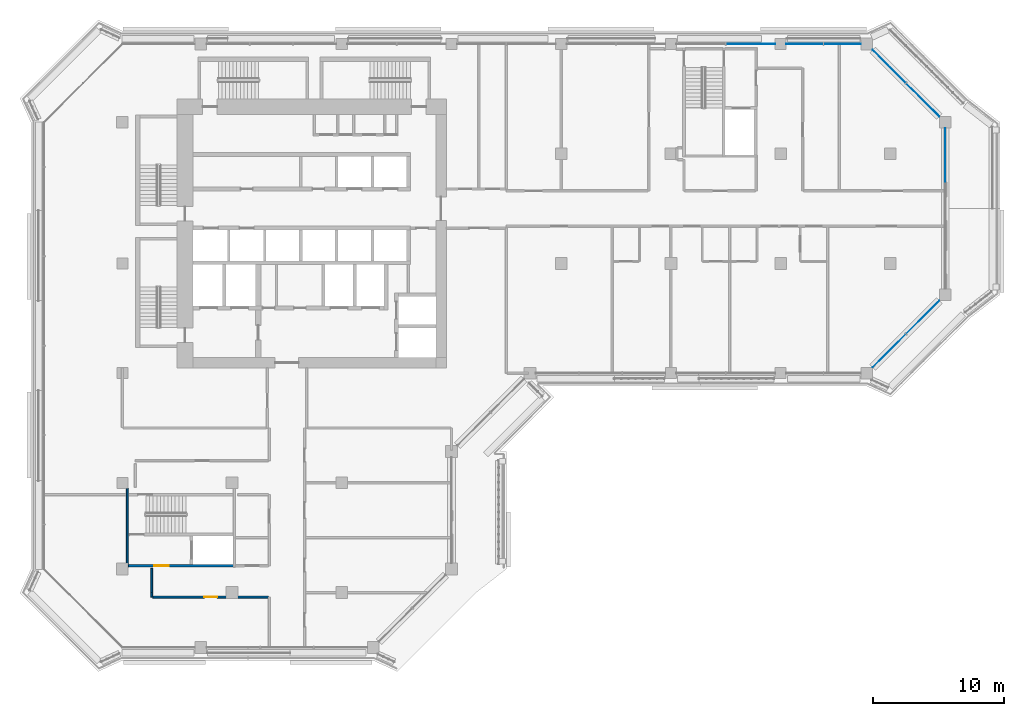
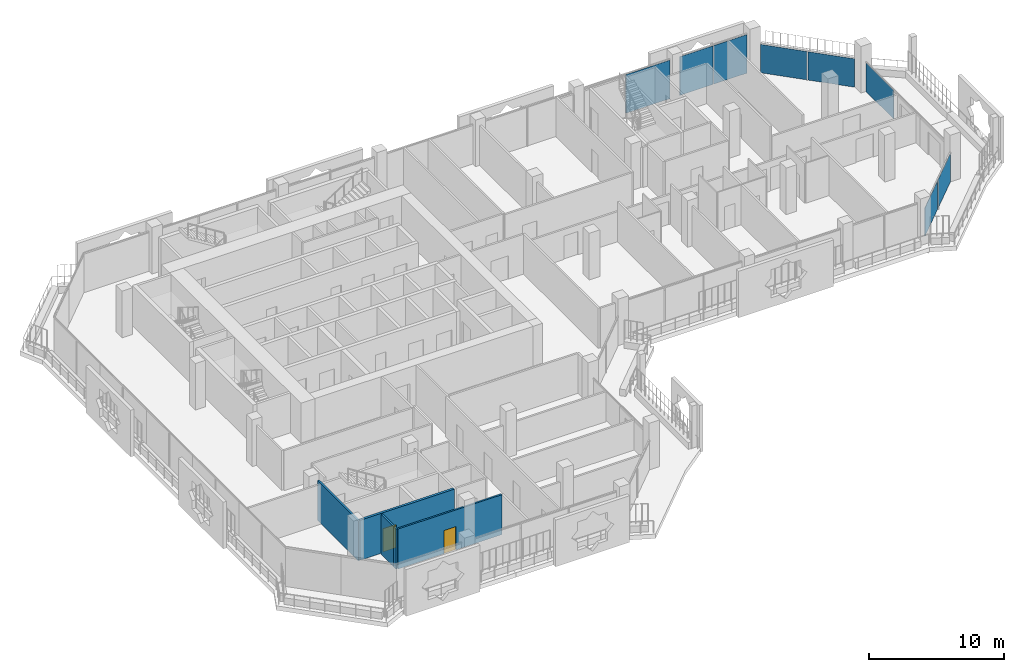
# One storey, part 9 of 22: 8 plates, 5 walls, 2 doors, 2 openings, 4 elements without a shape of their own.
"""IFC4 building model written with IfcOpenShell, lengths in metres."""

from ifc_helpers import new_model, si_unit, direction, frame, frame_2d, origin, origin_2d, place, context, subcontext, project, spatial, rectangle, extrude, material, layer, layer_set, type_object, element, fill, aggregate, save


model = new_model("IFC4")

# Units and contexts
model_context = context("Model", 3, precision=1e-05, world=origin(), true_north=direction((0.0, 1.0)))
body_context = subcontext(model_context, "Body", "Model", "MODEL_VIEW")
ifc_project = project(units=[si_unit("LENGTHUNIT", "METRE"), si_unit("AREAUNIT", "SQUARE_METRE"), si_unit("VOLUMEUNIT", "CUBIC_METRE"), si_unit("PLANEANGLEUNIT", "RADIAN"), si_unit("MASSUNIT", "GRAM", prefix="KILO")], contexts=[model_context])

# Site, building, storey
site_placement = place(None, origin())
site = spatial("IfcSite", under=ifc_project, at=site_placement, CompositionType="ELEMENT")
building_placement = place(site_placement, origin())
building = spatial("IfcBuilding", under=site, at=building_placement, Name="Kawkab Arch Medical Tower", CompositionType="ELEMENT")
storey_placement = place(building_placement, frame((0.0, 0.0, 255.800048828125)))
storey = spatial("IfcBuildingStorey", under=building, at=storey_placement, Name="L59", CompositionType="ELEMENT", Elevation=255.800048828125)

# Curtain wall, plate
ifc_material_1 = material(Name="Bronze anodised aluminium curtain wall frame", Category="aluminium")
ifc_layer_1 = layer(ifc_material_1, 0.159912109375)
ifc_layer_set_1 = layer_set([ifc_layer_1], Name="Bronze anodised aluminium curtain wall frame")
curtain_wall_type_1 = type_object("IfcCurtainWallType", Name="CW1 ward curtain wall", PredefinedType="NOTDEFINED", material=ifc_layer_set_1)
placement = place(storey_placement, origin())
curtain_wall_1 = element("IfcCurtainWall", 1, at=placement, inside=storey, type_object=curtain_wall_type_1, Name="CW1 Ward curtain wall R09", PredefinedType="NOTDEFINED")
ifc_material_2 = material(Name="Tinted insulating glass, bronze low-e coating", Category="glass")
ifc_layer_2 = layer(ifc_material_2, 0.031982421875)
ifc_layer_set_2 = layer_set([ifc_layer_2], Name="Tinted insulating glass, bronze low-e coating")
plate_type_1 = type_object("IfcPlateType", Name="CW1 glazing unit 32", PredefinedType="CURTAIN_PANEL", material=ifc_layer_set_2)
plate_1_placement = place(storey_placement, frame((63.0, -8.5, 0.0), z_axis=(0.0, 0.0, 1.0), x_axis=(0.0, 1.0, 0.0)))
plate_1 = element("IfcPlate", 2, at=plate_1_placement, type_object=plate_type_1, Name="CW1 glazing unit 1.3", PredefinedType="CURTAIN_PANEL", context=body_context, shape_type="SweptSolid", body=[
    extrude(rectangle(XDim=4.10009765625, YDim=0.031982421875, at=origin_2d()), origin(), (0.0, 0.0, 1.0), 2.580078125),
])
aggregate(curtain_wall_1, [plate_1])

# Curtain wall, plates
curtain_wall_2 = element("IfcCurtainWall", 3, at=placement, inside=storey, type_object=curtain_wall_type_1, Name="CW1 Ward curtain wall R11", PredefinedType="NOTDEFINED")
plate_2_placement = place(storey_placement, frame((55.1337890625, 0.0, 0.0), z_axis=(0.0, 0.0, 1.0), x_axis=(-1.0, 0.0, 0.0)))
plate_2 = element("IfcPlate", 4, at=plate_2_placement, type_object=plate_type_1, Name="CW1 glazing unit 1.1", PredefinedType="CURTAIN_PANEL", context=body_context, shape_type="SweptSolid", body=[
    extrude(rectangle(XDim=2.83251953125, YDim=0.031982421875, at=origin_2d()), origin(), (0.0, 0.0, 1.0), 3.47998046875),
])
plate_3_placement = place(storey_placement, frame((52.2412109375, 0.0, 0.0), z_axis=(0.0, 0.0, 1.0), x_axis=(-1.0, 0.0, 0.0)))
plate_3 = element("IfcPlate", 5, at=plate_3_placement, type_object=plate_type_1, Name="CW1 glazing unit 1.2", PredefinedType="CURTAIN_PANEL", context=body_context, shape_type="SweptSolid", body=[
    extrude(rectangle(XDim=2.83251953125, YDim=0.031982421875, at=origin_2d()), origin(), (0.0, 0.0, 1.0), 3.47998046875),
])
plate_4_placement = place(storey_placement, frame((48.1025390625, 0.0, 0.0), z_axis=(0.0, 0.0, 1.0), x_axis=(-1.0, 0.0, 0.0)))
plate_4 = element("IfcPlate", 6, at=plate_4_placement, type_object=plate_type_1, Name="CW1 glazing unit 2.1", PredefinedType="CURTAIN_PANEL", context=body_context, shape_type="SweptSolid", body=[
    extrude(rectangle(XDim=3.7451171875, YDim=0.031982421875, at=origin_2d()), origin(), (0.0, 0.0, 1.0), 3.47998046875),
])
aggregate(curtain_wall_2, [plate_2, plate_3, plate_4])

ifc_material_3 = material(Name="Bronze anodised aluminium curtain wall frame", Category="aluminium")
ifc_layer_3 = layer(ifc_material_3, 0.159912109375)
ifc_layer_set_3 = layer_set([ifc_layer_3], Name="Bronze anodised aluminium curtain wall frame")
curtain_wall_type_2 = type_object("IfcCurtainWallType", Name="CW2 chamfer curtain wall", PredefinedType="NOTDEFINED", material=ifc_layer_set_3)
curtain_wall_3 = element("IfcCurtainWall", 7, at=placement, inside=storey, type_object=curtain_wall_type_2, Name="CW2 Chamfer curtain wall R08", PredefinedType="NOTDEFINED")
ifc_material_4 = material(Name="Tinted insulating glass, bronze low-e coating", Category="glass")
ifc_layer_4 = layer(ifc_material_4, 0.031982421875)
ifc_layer_set_4 = layer_set([ifc_layer_4], Name="Tinted insulating glass, bronze low-e coating")
plate_type_2 = type_object("IfcPlateType", Name="CW2 glazing unit 32", PredefinedType="CURTAIN_PANEL", material=ifc_layer_set_4)
plate_5_placement = place(storey_placement, frame((58.71435546875, -23.485595703125, 0.0), z_axis=(0.0, 0.0, 1.0), x_axis=(0.707106781187, 0.707106781187, 0.0)))
plate_5 = element("IfcPlate", 8, at=plate_5_placement, type_object=plate_type_2, Name="CW2 glazing unit 1.1", PredefinedType="CURTAIN_PANEL", context=body_context, shape_type="SweptSolid", body=[
    extrude(rectangle(XDim=3.576171875, YDim=0.031982421875, at=origin_2d()), origin(), (0.0, 0.0, 1.0), 2.56005859375),
])
plate_6_placement = place(storey_placement, frame((61.28564453125, -20.914306640625, 0.0), z_axis=(0.0, 0.0, 1.0), x_axis=(0.707106781187, 0.707106781187, 0.0)))
plate_6 = element("IfcPlate", 9, at=plate_6_placement, type_object=plate_type_2, Name="CW2 glazing unit 1.2", PredefinedType="CURTAIN_PANEL", context=body_context, shape_type="SweptSolid", body=[
    extrude(rectangle(XDim=3.576171875, YDim=0.031982421875, at=origin_2d()), origin(), (0.0, 0.0, 1.0), 2.56005859375),
])
aggregate(curtain_wall_3, [plate_5, plate_6])

curtain_wall_4 = element("IfcCurtainWall", 10, at=placement, inside=storey, type_object=curtain_wall_type_2, Name="CW2 Chamfer curtain wall R10", PredefinedType="NOTDEFINED")
plate_7_placement = place(storey_placement, frame((61.28564453125, -4.28564453125, 0.0), z_axis=(0.0, 0.0, 1.0), x_axis=(-0.707106781187, 0.707106781187, 0.0)))
plate_7 = element("IfcPlate", 11, at=plate_7_placement, type_object=plate_type_2, Name="CW2 glazing unit 1.1", PredefinedType="CURTAIN_PANEL", context=body_context, shape_type="SweptSolid", body=[
    extrude(rectangle(XDim=3.576171875, YDim=0.031982421875, at=origin_2d()), origin(), (0.0, 0.0, 1.0), 2.56005859375),
])
plate_8_placement = place(storey_placement, frame((58.71435546875, -1.71435546875, 0.0), z_axis=(0.0, 0.0, 1.0), x_axis=(-0.707106781187, 0.707106781187, 0.0)))
plate_8 = element("IfcPlate", 12, at=plate_8_placement, type_object=plate_type_2, Name="CW2 glazing unit 1.2", PredefinedType="CURTAIN_PANEL", context=body_context, shape_type="SweptSolid", body=[
    extrude(rectangle(XDim=3.576171875, YDim=0.031982421875, at=origin_2d()), origin(), (0.0, 0.0, 1.0), 2.56005859375),
])
aggregate(curtain_wall_4, [plate_7, plate_8])

# Wall, opening, door
ifc_material_5 = material(Name="Gypsum board partition on steel studs, mineral wool", Category="steel")
ifc_layer_5 = layer(ifc_material_5, 0.14990234375)
ifc_layer_set_5 = layer_set([ifc_layer_5], Name="Gypsum board partition on steel studs, mineral wool")
wall_type_1 = type_object("IfcWallType", Name="Partition 150", PredefinedType="PARTITIONING", material=ifc_layer_set_5)
wall_1_placement = place(storey_placement, frame((2.326904296875, -42.35009765625, 0.0), z_axis=(0.0, 0.0, 1.0), x_axis=(1.0, 0.0, 0.0)))
wall_1 = element("IfcWall", 13, at=wall_1_placement, inside=storey, type_object=wall_type_1, Name="Partition 150 w008", PredefinedType="PARTITIONING", context=body_context, shape_type="SweptSolid", body=[
    extrude(rectangle(XDim=8.84814453125, YDim=0.14990234375, at=frame_2d((4.424072265625, 0.0))), origin(), (0.0, 0.0, 1.0), 3.599853515625),
])
opening_1_placement = place(wall_1_placement, frame((3.924072265625, 0.0, 0.0)))
opening_1 = element("IfcOpeningElement", 14, at=opening_1_placement, cuts=wall_1, Name="Opening W54-016", PredefinedType="OPENING", context=body_context, shape_type="SweptSolid", body=[
    extrude(rectangle(XDim=1.0, YDim=2.10009765625, at=frame_2d((0.5, 1.050048828125))), frame((0.0, 0.0849609375, 0.0), z_axis=(0.0, -1.0, 0.0), x_axis=(1.0, 0.0, 0.0)), (0.0, 0.0, 1.0), 0.169921875),
])
ifc_material_6 = material(Name="Hollow metal door leaf")
door_type_1 = type_object("IfcDoorType", Name="Single door 1000x2100 FD30S", OperationType="NOTDEFINED", PredefinedType="DOOR", material=ifc_material_6)
door_1_placement = place(opening_1_placement, origin())
door_1 = element("IfcDoor", 15, at=door_1_placement, inside=storey, type_object=door_type_1, Name="Door W54-016", OperationType="SINGLE_SWING_RIGHT", OverallHeight=2.10009765625, OverallWidth=1.0, PredefinedType="DOOR", context=body_context, shape_type="SweptSolid", body=[
    extrude(rectangle(XDim=1.0, YDim=2.10009765625, at=frame_2d((0.5, 1.050048828125))), frame((0.0, 0.02490234375, 0.0), z_axis=(0.0, -1.0, 0.0), x_axis=(1.0, 0.0, 0.0)), (0.0, 0.0, 1.0), 0.050048828125),
])
fill(opening_1, door_1)

# Walls
wall_2_placement = place(storey_placement, frame((2.25, -42.347900390625, 0.0), z_axis=(0.0, 0.0, 1.0), x_axis=(0.0, 1.0, 0.0)))
element("IfcWall", 16, at=wall_2_placement, inside=storey, type_object=wall_type_1, Name="Partition 150 w034", PredefinedType="PARTITIONING", context=body_context, shape_type="SweptSolid", body=[
    extrude(rectangle(XDim=0.347900390625, YDim=0.14990234375, at=frame_2d((0.173828125, 0.0))), origin(), (0.0, 0.0, 1.0), 3.599853515625),
])
wall_3_placement = place(storey_placement, frame((2.25, -41.97998046875, 0.0), z_axis=(0.0, 0.0, 1.0), x_axis=(0.0, 1.0, 0.0)))
element("IfcWall", 17, at=wall_3_placement, inside=storey, type_object=wall_type_1, Name="Partition 150 w035", PredefinedType="PARTITIONING", context=body_context, shape_type="SweptSolid", body=[
    extrude(rectangle(XDim=1.830078125, YDim=0.14990234375, at=frame_2d((0.9150390625, 0.0))), origin(), (0.0, 0.0, 1.0), 3.599853515625),
])
ifc_material_7 = material(Name="Concrete C50/60", Category="concrete")
ifc_layer_6 = layer(ifc_material_7, 0.14990234375)
ifc_layer_set_6 = layer_set([ifc_layer_6], Name="Concrete C50/60")
wall_type_2 = type_object("IfcWallType", Name="Stair enclosure wall 150 C50/60", PredefinedType="SHEAR", material=ifc_layer_set_6)
wall_4_placement = place(storey_placement, frame((0.375, -40.050048828125, 0.0), z_axis=(0.0, 0.0, 1.0), x_axis=(0.0, 1.0, 0.0)))
element("IfcWall", 18, at=wall_4_placement, inside=storey, type_object=wall_type_2, Name="L59 stair enclosure wall", PredefinedType="SHEAR", context=body_context, shape_type="SweptSolid", body=[
    extrude(rectangle(XDim=6.025146484375, YDim=0.14990234375, at=frame_2d((3.0126953125, 0.0))), origin(), (0.0, 0.0, 1.0), 3.599853515625),
])

# Wall, opening, door
ifc_material_8 = material(Name="Concrete C50/60", Category="concrete")
ifc_layer_7 = layer(ifc_material_8, 0.199951171875)
ifc_layer_set_7 = layer_set([ifc_layer_7], Name="Concrete C50/60")
wall_type_3 = type_object("IfcWallType", Name="Stair enclosure wall 200 C50/60", PredefinedType="SHEAR", material=ifc_layer_set_7)
wall_5_placement = place(storey_placement, frame((0.449951171875, -39.949951171875, 0.0), z_axis=(0.0, 0.0, 1.0), x_axis=(1.0, 0.0, 0.0)))
wall_5 = element("IfcWall", 19, at=wall_5_placement, inside=storey, type_object=wall_type_3, Name="L59 stair enclosure wall", PredefinedType="SHEAR", context=body_context, shape_type="SweptSolid", body=[
    extrude(rectangle(XDim=8.050048828125, YDim=0.199951171875, at=frame_2d((4.02490234375, 0.0))), origin(), (0.0, 0.0, 1.0), 3.599853515625),
])
opening_2_placement = place(wall_5_placement, frame((2.0, 0.0, 0.0)))
opening_2 = element("IfcOpeningElement", 20, at=opening_2_placement, cuts=wall_5, Name="Opening FD", PredefinedType="OPENING", context=body_context, shape_type="SweptSolid", body=[
    extrude(rectangle(XDim=1.10009765625, YDim=2.10009765625, at=frame_2d((0.550048828125, 1.050048828125))), frame((0.0, 0.10986328125, 0.0), z_axis=(0.0, -1.0, 0.0), x_axis=(1.0, 0.0, 0.0)), (0.0, 0.0, 1.0), 0.219970703125),
])
ifc_material_9 = material(Name="Hollow metal fire door leaf")
door_type_2 = type_object("IfcDoorType", Name="Firefighting lobby door 1100", OperationType="SINGLE_SWING_LEFT", PredefinedType="DOOR", material=ifc_material_9)
door_2_placement = place(opening_2_placement, origin())
door_2 = element("IfcDoor", 21, at=door_2_placement, inside=storey, type_object=door_type_2, Name="L59 Service lift lobby door SV2", OperationType="SINGLE_SWING_LEFT", OverallHeight=2.10009765625, OverallWidth=1.10009765625, PredefinedType="DOOR", context=body_context, shape_type="SweptSolid", body=[
    extrude(rectangle(XDim=1.10009765625, YDim=2.10009765625, at=frame_2d((0.550048828125, 1.050048828125))), frame((0.0, 0.02490234375, 0.0), z_axis=(0.0, -1.0, 0.0), x_axis=(1.0, 0.0, 0.0)), (0.0, 0.0, 1.0), 0.050048828125),
])
fill(opening_2, door_2)

save(model, "model.ifc")
